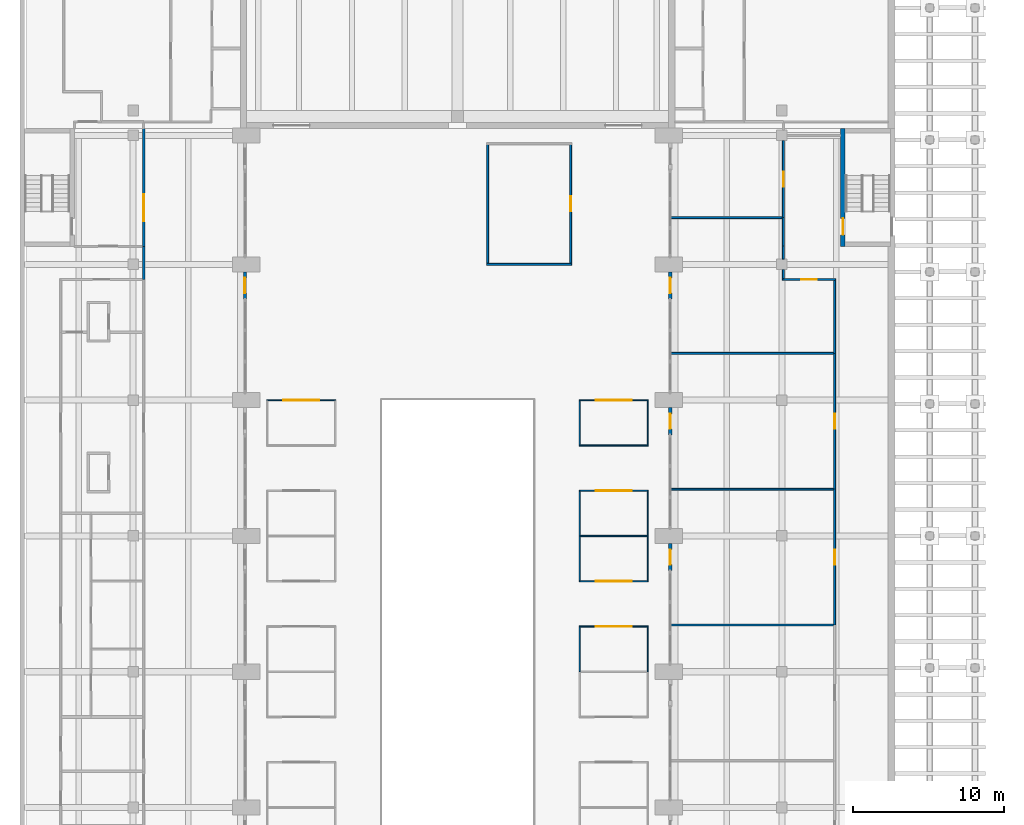
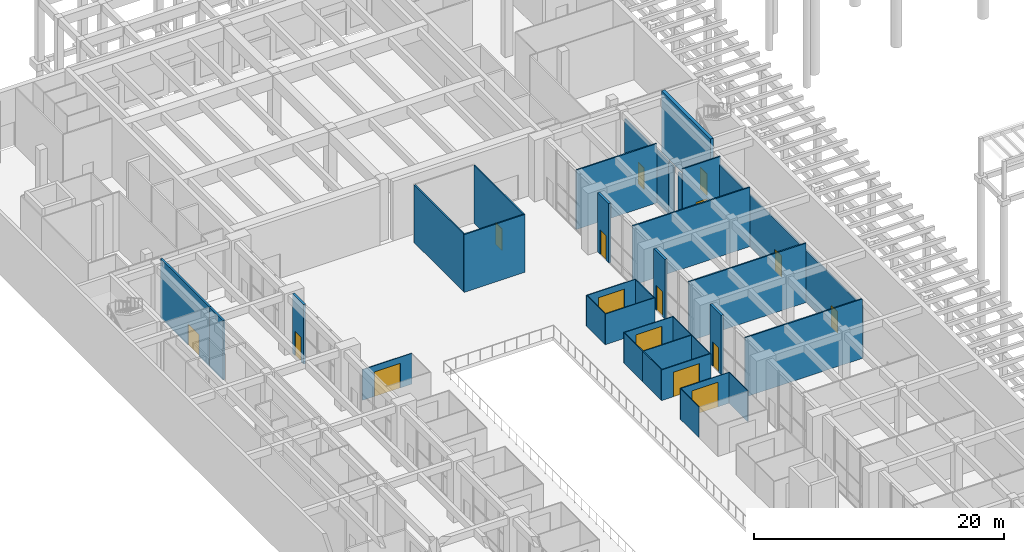
# One storey, part 36 of 51: 37 walls, 16 doors, 16 openings.
"""IFC4 building model written with IfcOpenShell, lengths in metres."""

from ifc_helpers import new_model, si_unit, direction, frame, frame_2d, origin, place, context, subcontext, project, spatial, rectangle, extrude, material, layer, layer_set, type_object, element, fill, save


model = new_model("IFC4")

# Units and contexts
model_context = context("Model", 3, precision=1e-05, world=origin(), true_north=direction((0.0, 1.0)))
body_context = subcontext(model_context, "Body", "Model", "MODEL_VIEW")
ifc_project = project(units=[si_unit("LENGTHUNIT", "METRE"), si_unit("AREAUNIT", "SQUARE_METRE"), si_unit("VOLUMEUNIT", "CUBIC_METRE"), si_unit("PLANEANGLEUNIT", "RADIAN"), si_unit("MASSUNIT", "GRAM", prefix="KILO")], contexts=[model_context])

# Site, building, storey
site_placement = place(None, origin())
site = spatial("IfcSite", under=ifc_project, at=site_placement, CompositionType="ELEMENT")
building_placement = place(site_placement, origin())
building = spatial("IfcBuilding", under=site, at=building_placement, Name="Elmora Arch Market Hall", CompositionType="ELEMENT")
storey_placement = place(building_placement, origin())
storey = spatial("IfcBuildingStorey", under=building, at=storey_placement, Name="L00", CompositionType="ELEMENT", Elevation=0.0)

# Wall, opening, door
ifc_material_1 = material(Name="Concrete C40/50", Category="concrete")
ifc_layer_1 = layer(ifc_material_1, 0.199951171875)
ifc_layer_set_1 = layer_set([ifc_layer_1], Name="Concrete C40/50")
wall_type_1 = type_object("IfcWallType", Name="Concrete shopfront pier 200", PredefinedType="PARTITIONING", material=ifc_layer_set_1)
wall_1_placement = place(storey_placement, frame((14.89990234375, 89.5, 0.0), z_axis=(0.0, 0.0, 1.0), x_axis=(0.0, -1.0, 0.0)))
wall_1 = element("IfcWall", 1, at=wall_1_placement, inside=storey, type_object=wall_type_1, Name="Shopfront pier W 7", PredefinedType="PARTITIONING", context=body_context, shape_type="SweptSolid", body=[
    extrude(rectangle(XDim=1.800048828125, YDim=0.199951171875, at=frame_2d((0.89990234375, 0.0))), origin(), (0.0, 0.0, 1.0), 5.800048828125),
])
opening_1_placement = place(wall_1_placement, frame((0.39990234375, 0.0, 0.0)))
opening_1 = element("IfcOpeningElement", 2, at=opening_1_placement, cuts=wall_1, Name="Opening SD-W07", PredefinedType="OPENING", context=body_context, shape_type="SweptSolid", body=[
    extrude(rectangle(XDim=1.0, YDim=2.39990234375, at=frame_2d((0.5, 1.199951171875))), frame((0.0, 0.10986328125, 0.0), z_axis=(0.0, -1.0, 0.0), x_axis=(1.0, 0.0, 0.0)), (0.0, 0.0, 1.0), 0.219970703125),
])
ifc_material_2 = material(Name="Glazed aluminium", Category="aluminium")
door_type_1 = type_object("IfcDoorType", Name="Shop door 1000x2400", OperationType="SINGLE_SWING_LEFT", PredefinedType="DOOR", material=ifc_material_2)
door_1_placement = place(opening_1_placement, origin())
door_1 = element("IfcDoor", 3, at=door_1_placement, inside=storey, type_object=door_type_1, Name="Shop door W07", OperationType="SINGLE_SWING_LEFT", OverallHeight=2.39990234375, OverallWidth=1.0, PredefinedType="DOOR", context=body_context, shape_type="SweptSolid", body=[
    extrude(rectangle(XDim=1.0, YDim=2.39990234375, at=frame_2d((0.5, 1.199951171875))), frame((0.0, 0.02490234375, 0.0), z_axis=(0.0, -1.0, 0.0), x_axis=(1.0, 0.0, 0.0)), (0.0, 0.0, 1.0), 0.050048828125),
])
fill(opening_1, door_1)

wall_2_placement = place(storey_placement, frame((43.10009765625, 69.699951171875, 0.0), z_axis=(0.0, 0.0, 1.0), x_axis=(0.0, 1.0, 0.0)))
wall_2 = element("IfcWall", 4, at=wall_2_placement, inside=storey, type_object=wall_type_1, Name="Shopfront pier E 5", PredefinedType="PARTITIONING", context=body_context, shape_type="SweptSolid", body=[
    extrude(rectangle(XDim=1.800048828125, YDim=0.199951171875, at=frame_2d((0.89990234375, 0.0))), origin(), (0.0, 0.0, 1.0), 5.800048828125),
])
opening_2_placement = place(wall_2_placement, frame((0.39990234375, 0.0, 0.0)))
opening_2 = element("IfcOpeningElement", 5, at=opening_2_placement, cuts=wall_2, Name="Opening SD-E05", PredefinedType="OPENING", context=body_context, shape_type="SweptSolid", body=[
    extrude(rectangle(XDim=1.0, YDim=2.39990234375, at=frame_2d((0.5, 1.199951171875))), frame((0.0, 0.10986328125, 0.0), z_axis=(0.0, -1.0, 0.0), x_axis=(1.0, 0.0, 0.0)), (0.0, 0.0, 1.0), 0.219970703125),
])
door_2_placement = place(opening_2_placement, frame((1.0, 0.0, 0.0), z_axis=(0.0, 0.0, 1.0), x_axis=(-1.0, 0.0, 0.0)))
door_2 = element("IfcDoor", 6, at=door_2_placement, inside=storey, type_object=door_type_1, Name="Shop door E05", OperationType="SINGLE_SWING_LEFT", OverallHeight=2.39990234375, OverallWidth=1.0, PredefinedType="DOOR", context=body_context, shape_type="SweptSolid", body=[
    extrude(rectangle(XDim=1.0, YDim=2.39990234375, at=frame_2d((0.5, 1.199951171875))), frame((0.0, 0.02490234375, 0.0), z_axis=(0.0, -1.0, 0.0), x_axis=(1.0, 0.0, 0.0)), (0.0, 0.0, 1.0), 0.050048828125),
])
fill(opening_2, door_2)

wall_3_placement = place(storey_placement, frame((43.10009765625, 78.699951171875, 0.0), z_axis=(0.0, 0.0, 1.0), x_axis=(0.0, 1.0, 0.0)))
wall_3 = element("IfcWall", 7, at=wall_3_placement, inside=storey, type_object=wall_type_1, Name="Shopfront pier E 6", PredefinedType="PARTITIONING", context=body_context, shape_type="SweptSolid", body=[
    extrude(rectangle(XDim=1.800048828125, YDim=0.199951171875, at=frame_2d((0.89990234375, 0.0))), origin(), (0.0, 0.0, 1.0), 5.800048828125),
])
opening_3_placement = place(wall_3_placement, frame((0.39990234375, 0.0, 0.0)))
opening_3 = element("IfcOpeningElement", 8, at=opening_3_placement, cuts=wall_3, Name="Opening SD-E06", PredefinedType="OPENING", context=body_context, shape_type="SweptSolid", body=[
    extrude(rectangle(XDim=1.0, YDim=2.39990234375, at=frame_2d((0.5, 1.199951171875))), frame((0.0, 0.10986328125, 0.0), z_axis=(0.0, -1.0, 0.0), x_axis=(1.0, 0.0, 0.0)), (0.0, 0.0, 1.0), 0.219970703125),
])
door_3_placement = place(opening_3_placement, frame((1.0, 0.0, 0.0), z_axis=(0.0, 0.0, 1.0), x_axis=(-1.0, 0.0, 0.0)))
door_3 = element("IfcDoor", 9, at=door_3_placement, inside=storey, type_object=door_type_1, Name="Shop door E06", OperationType="SINGLE_SWING_LEFT", OverallHeight=2.39990234375, OverallWidth=1.0, PredefinedType="DOOR", context=body_context, shape_type="SweptSolid", body=[
    extrude(rectangle(XDim=1.0, YDim=2.39990234375, at=frame_2d((0.5, 1.199951171875))), frame((0.0, 0.02490234375, 0.0), z_axis=(0.0, -1.0, 0.0), x_axis=(1.0, 0.0, 0.0)), (0.0, 0.0, 1.0), 0.050048828125),
])
fill(opening_3, door_3)

wall_4_placement = place(storey_placement, frame((43.10009765625, 87.699951171875, 0.0), z_axis=(0.0, 0.0, 1.0), x_axis=(0.0, 1.0, 0.0)))
wall_4 = element("IfcWall", 10, at=wall_4_placement, inside=storey, type_object=wall_type_1, Name="Shopfront pier E 7", PredefinedType="PARTITIONING", context=body_context, shape_type="SweptSolid", body=[
    extrude(rectangle(XDim=1.800048828125, YDim=0.199951171875, at=frame_2d((0.89990234375, 0.0))), origin(), (0.0, 0.0, 1.0), 5.800048828125),
])
opening_4_placement = place(wall_4_placement, frame((0.39990234375, 0.0, 0.0)))
opening_4 = element("IfcOpeningElement", 11, at=opening_4_placement, cuts=wall_4, Name="Opening SD-E07", PredefinedType="OPENING", context=body_context, shape_type="SweptSolid", body=[
    extrude(rectangle(XDim=1.0, YDim=2.39990234375, at=frame_2d((0.5, 1.199951171875))), frame((0.0, 0.10986328125, 0.0), z_axis=(0.0, -1.0, 0.0), x_axis=(1.0, 0.0, 0.0)), (0.0, 0.0, 1.0), 0.219970703125),
])
door_4_placement = place(opening_4_placement, frame((1.0, 0.0, 0.0), z_axis=(0.0, 0.0, 1.0), x_axis=(-1.0, 0.0, 0.0)))
door_4 = element("IfcDoor", 12, at=door_4_placement, inside=storey, type_object=door_type_1, Name="Shop door E07", OperationType="SINGLE_SWING_LEFT", OverallHeight=2.39990234375, OverallWidth=1.0, PredefinedType="DOOR", context=body_context, shape_type="SweptSolid", body=[
    extrude(rectangle(XDim=1.0, YDim=2.39990234375, at=frame_2d((0.5, 1.199951171875))), frame((0.0, 0.02490234375, 0.0), z_axis=(0.0, -1.0, 0.0), x_axis=(1.0, 0.0, 0.0)), (0.0, 0.0, 1.0), 0.050048828125),
])
fill(opening_4, door_4)

# Walls
ifc_material_3 = material(Name="Gypsum board on metal studs")
ifc_layer_2 = layer(ifc_material_3, 0.125)
ifc_layer_set_2 = layer_set([ifc_layer_2], Name="Gypsum board on metal studs")
wall_type_2 = type_object("IfcWallType", Name="Partition 125 EI 60", PredefinedType="PARTITIONING", material=ifc_layer_set_2)
for number, where, z_axis, x_axis, name in (
    (13, (43.10009765625, 66.10009765625, 0.0), (0.0, 0.0, 1.0), (1.0, 0.0, 0.0), "Partition PT-L00-063"),
    (14, (43.10009765625, 75.10009765625, 0.0), (0.0, 0.0, 1.0), (1.0, 0.0, 0.0), "Partition PT-L00-073"),
    (15, (43.10009765625, 84.10009765625, 0.0), (0.0, 0.0, 1.0), (1.0, 0.0, 0.0), "Partition PT-L00-079"),
):
    element("IfcWall", number, at=place(storey_placement, frame(where, z_axis=z_axis, x_axis=x_axis)), inside=storey, type_object=wall_type_2, Name=name, PredefinedType="PARTITIONING", context=body_context, shape_type="SweptSolid", body=[
        extrude(rectangle(XDim=10.83740234375, YDim=0.125, at=frame_2d((5.418701171875, 0.0))), origin(), (0.0, 0.0, 1.0), 5.800048828125),
    ])

# Wall, opening, door
wall_5_placement = place(storey_placement, frame((50.53759765625, 89.0, 0.0), z_axis=(0.0, 0.0, 1.0), x_axis=(1.0, 0.0, 0.0)))
wall_5 = element("IfcWall", 16, at=wall_5_placement, inside=storey, type_object=wall_type_2, Name="Partition PT-L00-083", PredefinedType="PARTITIONING", context=body_context, shape_type="SweptSolid", body=[
    extrude(rectangle(XDim=3.52490234375, YDim=0.125, at=frame_2d((1.762451171875, 0.0))), origin(), (0.0, 0.0, 1.0), 5.800048828125),
])
opening_5_placement = place(wall_5_placement, frame((1.262451171875, 0.0, 0.0)))
opening_5 = element("IfcOpeningElement", 17, at=opening_5_placement, cuts=wall_5, Name="Opening D-L00-069", PredefinedType="OPENING", context=body_context, shape_type="SweptSolid", body=[
    extrude(rectangle(XDim=1.0, YDim=2.10009765625, at=frame_2d((0.5, 1.050048828125))), frame((0.0, 0.072509765625, 0.0), z_axis=(0.0, -1.0, 0.0), x_axis=(1.0, 0.0, 0.0)), (0.0, 0.0, 1.0), 0.14501953125),
])
ifc_material_4 = material(Name="Steel ASTM A653 galvanised", Category="steel")
door_type_2 = type_object("IfcDoorType", Name="Door 1000 x 2100 FD45", OperationType="SINGLE_SWING_LEFT", PredefinedType="DOOR", material=ifc_material_4)
door_5_placement = place(opening_5_placement, frame((1.0, 0.0, 0.0), z_axis=(0.0, 0.0, 1.0), x_axis=(-1.0, 0.0, 0.0)))
door_5 = element("IfcDoor", 18, at=door_5_placement, inside=storey, type_object=door_type_2, Name="D-L00-069", OperationType="SINGLE_SWING_LEFT", OverallHeight=2.10009765625, OverallWidth=1.0, PredefinedType="DOOR", context=body_context, shape_type="SweptSolid", body=[
    extrude(rectangle(XDim=1.0, YDim=2.10009765625, at=frame_2d((0.5, 1.050048828125))), frame((0.0, 0.02490234375, 0.0), z_axis=(0.0, -1.0, 0.0), x_axis=(1.0, 0.0, 0.0)), (0.0, 0.0, 1.0), 0.050048828125),
])
fill(opening_5, door_5)

# Walls
wall_6_placement = place(storey_placement, frame((30.9375, 90.0, 0.0), z_axis=(0.0, 0.0, 1.0), x_axis=(1.0, 0.0, 0.0)))
element("IfcWall", 19, at=wall_6_placement, inside=storey, type_object=wall_type_2, Name="Partition PT-L00-084", PredefinedType="PARTITIONING", context=body_context, shape_type="SweptSolid", body=[
    extrude(rectangle(XDim=5.625, YDim=0.125, at=frame_2d((2.8125, 0.0))), origin(), (0.0, 0.0, 1.0), 5.64990234375),
])
wall_7_placement = place(storey_placement, frame((43.10009765625, 93.10009765625, 0.0), z_axis=(0.0, 0.0, 1.0), x_axis=(1.0, 0.0, 0.0)))
element("IfcWall", 20, at=wall_7_placement, inside=storey, type_object=wall_type_2, Name="Partition PT-L00-086", PredefinedType="PARTITIONING", context=body_context, shape_type="SweptSolid", body=[
    extrude(rectangle(XDim=7.4375, YDim=0.125, at=frame_2d((3.71875, 0.0))), origin(), (0.0, 0.0, 1.0), 5.800048828125),
])
wall_8_placement = place(storey_placement, frame((31.0, 90.0625, 0.0), z_axis=(0.0, 0.0, 1.0), x_axis=(0.0, 1.0, 0.0)))
element("IfcWall", 21, at=wall_8_placement, inside=storey, type_object=wall_type_2, Name="Partition PT-L00-200", PredefinedType="PARTITIONING", context=body_context, shape_type="SweptSolid", body=[
    extrude(rectangle(XDim=7.875, YDim=0.125, at=frame_2d((3.9375, 0.0))), origin(), (0.0, 0.0, 1.0), 5.64990234375),
])

# Wall, opening, door
wall_9_placement = place(storey_placement, frame((36.5, 90.0625, 0.0), z_axis=(0.0, 0.0, 1.0), x_axis=(0.0, 1.0, 0.0)))
wall_9 = element("IfcWall", 22, at=wall_9_placement, inside=storey, type_object=wall_type_2, Name="Partition PT-L00-206", PredefinedType="PARTITIONING", context=body_context, shape_type="SweptSolid", body=[
    extrude(rectangle(XDim=7.875, YDim=0.125, at=frame_2d((3.9375, 0.0))), origin(), (0.0, 0.0, 1.0), 5.64990234375),
])
opening_6_placement = place(wall_9_placement, frame((3.449951171875, 0.0, 0.0)))
opening_6 = element("IfcOpeningElement", 23, at=opening_6_placement, cuts=wall_9, Name="Opening D-L00-072", PredefinedType="OPENING", context=body_context, shape_type="SweptSolid", body=[
    extrude(rectangle(XDim=1.0, YDim=2.10009765625, at=frame_2d((0.5, 1.050048828125))), frame((0.0, 0.072509765625, 0.0), z_axis=(0.0, -1.0, 0.0), x_axis=(1.0, 0.0, 0.0)), (0.0, 0.0, 1.0), 0.14501953125),
])
door_6_placement = place(opening_6_placement, origin())
door_6 = element("IfcDoor", 24, at=door_6_placement, inside=storey, type_object=door_type_2, Name="D-L00-072", OperationType="SINGLE_SWING_RIGHT", OverallHeight=2.10009765625, OverallWidth=1.0, PredefinedType="DOOR", context=body_context, shape_type="SweptSolid", body=[
    extrude(rectangle(XDim=1.0, YDim=2.10009765625, at=frame_2d((0.5, 1.050048828125))), frame((0.0, 0.02490234375, 0.0), z_axis=(0.0, -1.0, 0.0), x_axis=(1.0, 0.0, 0.0)), (0.0, 0.0, 1.0), 0.050048828125),
])
fill(opening_6, door_6)

# Walls
wall_10_placement = place(storey_placement, frame((50.60009765625, 89.0625, 0.0), z_axis=(0.0, 0.0, 1.0), x_axis=(0.0, 1.0, 0.0)))
element("IfcWall", 25, at=wall_10_placement, inside=storey, type_object=wall_type_2, Name="Partition PT-L00-231-226", PredefinedType="PARTITIONING", context=body_context, shape_type="SweptSolid", body=[
    extrude(rectangle(XDim=0.58740234375, YDim=0.125, at=frame_2d((0.293701171875, 0.0))), origin(), (0.0, 0.0, 1.0), 5.10009765625),
])
wall_11_placement = place(storey_placement, frame((50.60009765625, 90.35009765625, 0.0), z_axis=(0.0, 0.0, 1.0), x_axis=(0.0, 1.0, 0.0)))
element("IfcWall", 26, at=wall_11_placement, inside=storey, type_object=wall_type_2, Name="Partition PT-L00-231-227", PredefinedType="PARTITIONING", context=body_context, shape_type="SweptSolid", body=[
    extrude(rectangle(XDim=0.85986328125, YDim=0.125, at=frame_2d((0.429931640625, 0.0))), origin(), (0.0, 0.0, 1.0), 5.10009765625),
])
wall_12_placement = place(storey_placement, frame((50.60009765625, 91.2099609375, 0.0), z_axis=(0.0, 0.0, 1.0), x_axis=(0.0, 1.0, 0.0)))
element("IfcWall", 27, at=wall_12_placement, inside=storey, type_object=wall_type_2, Name="Partition PT-L00-232", PredefinedType="PARTITIONING", context=body_context, shape_type="SweptSolid", body=[
    extrude(rectangle(XDim=1.89013671875, YDim=0.125, at=frame_2d((0.945068359375, 0.0))), origin(), (0.0, 0.0, 1.0), 5.10009765625),
])

# Wall, opening, door
wall_13_placement = place(storey_placement, frame((50.60009765625, 93.10009765625, 0.0), z_axis=(0.0, 0.0, 1.0), x_axis=(0.0, 1.0, 0.0)))
wall_13 = element("IfcWall", 28, at=wall_13_placement, inside=storey, type_object=wall_type_2, Name="Partition PT-L00-233", PredefinedType="PARTITIONING", context=body_context, shape_type="SweptSolid", body=[
    extrude(rectangle(XDim=5.099853515625, YDim=0.125, at=frame_2d((2.5498046875, 0.0))), origin(), (0.0, 0.0, 1.0), 5.10009765625),
])
opening_7_placement = place(wall_13_placement, frame((2.050048828125, 0.0, 0.0)))
opening_7 = element("IfcOpeningElement", 29, at=opening_7_placement, cuts=wall_13, Name="Opening D-L00-073", PredefinedType="OPENING", context=body_context, shape_type="SweptSolid", body=[
    extrude(rectangle(XDim=1.0, YDim=2.10009765625, at=frame_2d((0.5, 1.050048828125))), frame((0.0, 0.072509765625, 0.0), z_axis=(0.0, -1.0, 0.0), x_axis=(1.0, 0.0, 0.0)), (0.0, 0.0, 1.0), 0.14501953125),
])
door_7_placement = place(opening_7_placement, origin())
door_7 = element("IfcDoor", 30, at=door_7_placement, inside=storey, type_object=door_type_2, Name="D-L00-073", OperationType="SINGLE_SWING_LEFT", OverallHeight=2.10009765625, OverallWidth=1.0, PredefinedType="DOOR", context=body_context, shape_type="SweptSolid", body=[
    extrude(rectangle(XDim=1.0, YDim=2.10009765625, at=frame_2d((0.5, 1.050048828125))), frame((0.0, 0.02490234375, 0.0), z_axis=(0.0, -1.0, 0.0), x_axis=(1.0, 0.0, 0.0)), (0.0, 0.0, 1.0), 0.050048828125),
])
fill(opening_7, door_7)

wall_14_placement = place(storey_placement, frame((54.0, 66.10009765625, 0.0), z_axis=(0.0, 0.0, 1.0), x_axis=(0.0, 1.0, 0.0)))
wall_14 = element("IfcWall", 31, at=wall_14_placement, inside=storey, type_object=wall_type_2, Name="Partition PT-L00-239", PredefinedType="PARTITIONING", context=body_context, shape_type="SweptSolid", body=[
    extrude(rectangle(XDim=9.0, YDim=0.125, at=frame_2d((4.5, 0.0))), origin(), (0.0, 0.0, 1.0), 5.050048828125),
])
opening_8_placement = place(wall_14_placement, frame((4.0, 0.0, 0.0)))
opening_8 = element("IfcOpeningElement", 32, at=opening_8_placement, cuts=wall_14, Name="Opening D-L00-056", PredefinedType="OPENING", context=body_context, shape_type="SweptSolid", body=[
    extrude(rectangle(XDim=1.0, YDim=2.10009765625, at=frame_2d((0.5, 1.050048828125))), frame((0.0, 0.072509765625, 0.0), z_axis=(0.0, -1.0, 0.0), x_axis=(1.0, 0.0, 0.0)), (0.0, 0.0, 1.0), 0.14501953125),
])
door_8_placement = place(opening_8_placement, origin())
door_8 = element("IfcDoor", 33, at=door_8_placement, inside=storey, type_object=door_type_2, Name="D-L00-056", OperationType="SINGLE_SWING_LEFT", OverallHeight=2.10009765625, OverallWidth=1.0, PredefinedType="DOOR", context=body_context, shape_type="SweptSolid", body=[
    extrude(rectangle(XDim=1.0, YDim=2.10009765625, at=frame_2d((0.5, 1.050048828125))), frame((0.0, 0.02490234375, 0.0), z_axis=(0.0, -1.0, 0.0), x_axis=(1.0, 0.0, 0.0)), (0.0, 0.0, 1.0), 0.050048828125),
])
fill(opening_8, door_8)

wall_15_placement = place(storey_placement, frame((54.0, 75.10009765625, 0.0), z_axis=(0.0, 0.0, 1.0), x_axis=(0.0, 1.0, 0.0)))
wall_15 = element("IfcWall", 34, at=wall_15_placement, inside=storey, type_object=wall_type_2, Name="Partition PT-L00-240", PredefinedType="PARTITIONING", context=body_context, shape_type="SweptSolid", body=[
    extrude(rectangle(XDim=9.0, YDim=0.125, at=frame_2d((4.5, 0.0))), origin(), (0.0, 0.0, 1.0), 5.050048828125),
])
opening_9_placement = place(wall_15_placement, frame((4.0, 0.0, 0.0)))
opening_9 = element("IfcOpeningElement", 35, at=opening_9_placement, cuts=wall_15, Name="Opening D-L00-063", PredefinedType="OPENING", context=body_context, shape_type="SweptSolid", body=[
    extrude(rectangle(XDim=1.0, YDim=2.10009765625, at=frame_2d((0.5, 1.050048828125))), frame((0.0, 0.072509765625, 0.0), z_axis=(0.0, -1.0, 0.0), x_axis=(1.0, 0.0, 0.0)), (0.0, 0.0, 1.0), 0.14501953125),
])
door_9_placement = place(opening_9_placement, origin())
door_9 = element("IfcDoor", 36, at=door_9_placement, inside=storey, type_object=door_type_2, Name="D-L00-063", OperationType="SINGLE_SWING_LEFT", OverallHeight=2.10009765625, OverallWidth=1.0, PredefinedType="DOOR", context=body_context, shape_type="SweptSolid", body=[
    extrude(rectangle(XDim=1.0, YDim=2.10009765625, at=frame_2d((0.5, 1.050048828125))), frame((0.0, 0.02490234375, 0.0), z_axis=(0.0, -1.0, 0.0), x_axis=(1.0, 0.0, 0.0)), (0.0, 0.0, 1.0), 0.050048828125),
])
fill(opening_9, door_9)

# Walls
wall_16_placement = place(storey_placement, frame((54.0, 84.10009765625, 0.0), z_axis=(0.0, 0.0, 1.0), x_axis=(0.0, 1.0, 0.0)))
element("IfcWall", 37, at=wall_16_placement, inside=storey, type_object=wall_type_2, Name="Partition PT-L00-241", PredefinedType="PARTITIONING", context=body_context, shape_type="SweptSolid", body=[
    extrude(rectangle(XDim=4.83740234375, YDim=0.125, at=frame_2d((2.418701171875, 0.0))), origin(), (0.0, 0.0, 1.0), 5.050048828125),
])
ifc_material_5 = material(Name="Gypsum board on metal studs")
ifc_layer_3 = layer(ifc_material_5, 0.175048828125)
ifc_layer_set_3 = layer_set([ifc_layer_3], Name="Gypsum board on metal studs")
wall_type_3 = type_object("IfcWallType", Name="Partition 175 EI 60", PredefinedType="PARTITIONING", material=ifc_layer_set_3)
wall_17_placement = place(storey_placement, frame((8.199951171875, 89.0, 0.0), z_axis=(0.0, 0.0, 1.0), x_axis=(0.0, 1.0, 0.0)))
element("IfcWall", 38, at=wall_17_placement, inside=storey, type_object=wall_type_3, Name="Partition PT-L00-162", PredefinedType="PARTITIONING", context=body_context, shape_type="SweptSolid", body=[
    extrude(rectangle(XDim=2.199951171875, YDim=0.175048828125, at=frame_2d((1.10009765625, 0.0))), origin(), (0.0, 0.0, 1.0), 5.800048828125),
])

# Wall, opening, door
wall_18_placement = place(storey_placement, frame((8.199951171875, 91.199951171875, 0.0), z_axis=(0.0, 0.0, 1.0), x_axis=(0.0, 1.0, 0.0)))
wall_18 = element("IfcWall", 39, at=wall_18_placement, inside=storey, type_object=wall_type_3, Name="Partition PT-L00-163", PredefinedType="PARTITIONING", context=body_context, shape_type="SweptSolid", body=[
    extrude(rectangle(XDim=7.800048828125, YDim=0.175048828125, at=frame_2d((3.89990234375, 0.0))), origin(), (0.0, 0.0, 1.0), 5.800048828125),
])
opening_10_placement = place(wall_18_placement, frame((1.64990234375, 0.0, 0.0)))
opening_10 = element("IfcOpeningElement", 40, at=opening_10_placement, cuts=wall_18, Name="Opening D-L00-071", PredefinedType="OPENING", context=body_context, shape_type="SweptSolid", body=[
    extrude(rectangle(XDim=1.800048828125, YDim=2.10009765625, at=frame_2d((0.89990234375, 1.050048828125))), frame((0.0, 0.097412109375, 0.0), z_axis=(0.0, -1.0, 0.0), x_axis=(1.0, 0.0, 0.0)), (0.0, 0.0, 1.0), 0.195068359375),
])
ifc_material_6 = material(Name="Steel ASTM A653 galvanised", Category="steel")
door_type_3 = type_object("IfcDoorType", Name="Double door 1800 x 2100", OperationType="DOUBLE_DOOR_SINGLE_SWING", PredefinedType="DOOR", material=ifc_material_6)
door_10_placement = place(opening_10_placement, origin())
door_10 = element("IfcDoor", 41, at=door_10_placement, inside=storey, type_object=door_type_3, Name="D-L00-071", OperationType="DOUBLE_DOOR_SINGLE_SWING", OverallHeight=2.10009765625, OverallWidth=1.800048828125, PredefinedType="DOOR", context=body_context, shape_type="SweptSolid", body=[
    extrude(rectangle(XDim=1.800048828125, YDim=2.10009765625, at=frame_2d((0.89990234375, 1.050048828125))), frame((0.0, 0.02490234375, 0.0), z_axis=(0.0, -1.0, 0.0), x_axis=(1.0, 0.0, 0.0)), (0.0, 0.0, 1.0), 0.050048828125),
])
fill(opening_10, door_10)

ifc_material_7 = material(Name="Concrete C40/50", Category="concrete")
ifc_layer_4 = layer(ifc_material_7, 0.300048828125)
ifc_layer_set_4 = layer_set([ifc_layer_4], Name="Concrete C40/50")
wall_type_4 = type_object("IfcWallType", Name="Stair wall 300", PredefinedType="SHEAR", material=ifc_layer_set_4)
wall_19_placement = place(storey_placement, frame((54.550048828125, 91.199951171875, 0.0), z_axis=(0.0, 0.0, 1.0), x_axis=(0.0, 1.0, 0.0)))
wall_19 = element("IfcWall", 42, at=wall_19_placement, inside=storey, type_object=wall_type_4, Name="Stair wall ST-EN W L00", PredefinedType="SHEAR", context=body_context, shape_type="SweptSolid", body=[
    extrude(rectangle(XDim=7.800048828125, YDim=0.300048828125, at=frame_2d((3.89990234375, 0.0))), origin(), (0.0, 0.0, 1.0), 6.0),
])
opening_11_placement = place(wall_19_placement, frame((0.75, 0.0, 0.0)))
opening_11 = element("IfcOpeningElement", 43, at=opening_11_placement, cuts=wall_19, Name="Opening ST-EN-L00", PredefinedType="OPENING", context=body_context, shape_type="SweptSolid", body=[
    extrude(rectangle(XDim=1.10009765625, YDim=2.10009765625, at=frame_2d((0.550048828125, 1.050048828125))), frame((0.0, 0.159912109375, 0.0), z_axis=(0.0, -1.0, 0.0), x_axis=(1.0, 0.0, 0.0)), (0.0, 0.0, 1.0), 0.320068359375),
])
ifc_material_8 = material(Name="Steel ASTM A653 galvanised", Category="steel")
door_type_4 = type_object("IfcDoorType", Name="Stair door 1100 x 2100 FD90", OperationType="SINGLE_SWING_LEFT", PredefinedType="DOOR", material=ifc_material_8)
door_11_placement = place(opening_11_placement, frame((1.10009765625, 0.0, 0.0), z_axis=(0.0, 0.0, 1.0), x_axis=(-1.0, 0.0, 0.0)))
door_11 = element("IfcDoor", 44, at=door_11_placement, inside=storey, type_object=door_type_4, Name="Stair door ST-EN L00", OperationType="SINGLE_SWING_RIGHT", OverallHeight=2.10009765625, OverallWidth=1.10009765625, PredefinedType="DOOR", context=body_context, shape_type="SweptSolid", body=[
    extrude(rectangle(XDim=1.10009765625, YDim=2.10009765625, at=frame_2d((0.550048828125, 1.050048828125))), frame((0.0, 0.02490234375, 0.0), z_axis=(0.0, -1.0, 0.0), x_axis=(1.0, 0.0, 0.0)), (0.0, 0.0, 1.0), 0.050048828125),
])
fill(opening_11, door_11)

ifc_material_9 = material(Name="Gypsum board on metal studs")
ifc_layer_5 = layer(ifc_material_9, 0.074951171875)
ifc_layer_set_5 = layer_set([ifc_layer_5], Name="Gypsum board on metal studs")
wall_type_5 = type_object("IfcWallType", Name="Stall partition 75 (3.0 m)", PredefinedType="PARTITIONING", material=ifc_layer_set_5)
wall_20_placement = place(storey_placement, frame((37.0625, 66.0, 0.0), z_axis=(0.0, 0.0, 1.0), x_axis=(1.0, 0.0, 0.0)))
wall_20 = element("IfcWall", 45, at=wall_20_placement, inside=storey, type_object=wall_type_5, Name="Partition PT-L00-062", PredefinedType="PARTITIONING", context=body_context, shape_type="SweptSolid", body=[
    extrude(rectangle(XDim=4.574951171875, YDim=0.074951171875, at=frame_2d((2.28759765625, 0.0))), origin(), (0.0, 0.0, 1.0), 3.0),
])
opening_12_placement = place(wall_20_placement, frame((1.08740234375, 0.0, 0.0)))
opening_12 = element("IfcOpeningElement", 46, at=opening_12_placement, cuts=wall_20, Name="Opening D-L00-051", PredefinedType="OPENING", context=body_context, shape_type="SweptSolid", body=[
    extrude(rectangle(XDim=2.39990234375, YDim=2.39990234375, at=frame_2d((1.199951171875, 1.199951171875))), frame((0.0, 0.04736328125, 0.0), z_axis=(0.0, -1.0, 0.0), x_axis=(1.0, 0.0, 0.0)), (0.0, 0.0, 1.0), 0.094970703125),
])
ifc_material_10 = material(Name="Aluminium roller shutter", Category="aluminium")
door_type_5 = type_object("IfcDoorType", Name="Roller shutter 2400 x 2400", OperationType="ROLLINGUP", PredefinedType="DOOR", material=ifc_material_10)
door_12_placement = place(opening_12_placement, origin())
door_12 = element("IfcDoor", 47, at=door_12_placement, inside=storey, type_object=door_type_5, Name="D-L00-051", OperationType="ROLLINGUP", OverallHeight=2.39990234375, OverallWidth=2.39990234375, PredefinedType="DOOR", context=body_context, shape_type="SweptSolid", body=[
    extrude(rectangle(XDim=2.39990234375, YDim=2.39990234375, at=frame_2d((1.199951171875, 1.199951171875))), frame((0.0, 0.02490234375, 0.0), z_axis=(0.0, -1.0, 0.0), x_axis=(1.0, 0.0, 0.0)), (0.0, 0.0, 1.0), 0.050048828125),
])
fill(opening_12, door_12)

wall_21_placement = place(storey_placement, frame((37.0625, 69.0, 0.0), z_axis=(0.0, 0.0, 1.0), x_axis=(1.0, 0.0, 0.0)))
wall_21 = element("IfcWall", 48, at=wall_21_placement, inside=storey, type_object=wall_type_5, Name="Partition PT-L00-066", PredefinedType="PARTITIONING", context=body_context, shape_type="SweptSolid", body=[
    extrude(rectangle(XDim=4.574951171875, YDim=0.074951171875, at=frame_2d((2.28759765625, 0.0))), origin(), (0.0, 0.0, 1.0), 3.0),
])
opening_13_placement = place(wall_21_placement, frame((1.08740234375, 0.0, 0.0)))
opening_13 = element("IfcOpeningElement", 49, at=opening_13_placement, cuts=wall_21, Name="Opening D-L00-055", PredefinedType="OPENING", context=body_context, shape_type="SweptSolid", body=[
    extrude(rectangle(XDim=2.39990234375, YDim=2.39990234375, at=frame_2d((1.199951171875, 1.199951171875))), frame((0.0, 0.04736328125, 0.0), z_axis=(0.0, -1.0, 0.0), x_axis=(1.0, 0.0, 0.0)), (0.0, 0.0, 1.0), 0.094970703125),
])
door_13_placement = place(opening_13_placement, origin())
door_13 = element("IfcDoor", 50, at=door_13_placement, inside=storey, type_object=door_type_5, Name="D-L00-055", OperationType="ROLLINGUP", OverallHeight=2.39990234375, OverallWidth=2.39990234375, PredefinedType="DOOR", context=body_context, shape_type="SweptSolid", body=[
    extrude(rectangle(XDim=2.39990234375, YDim=2.39990234375, at=frame_2d((1.199951171875, 1.199951171875))), frame((0.0, 0.02490234375, 0.0), z_axis=(0.0, -1.0, 0.0), x_axis=(1.0, 0.0, 0.0)), (0.0, 0.0, 1.0), 0.050048828125),
])
fill(opening_13, door_13)

# Wall
wall_22_placement = place(storey_placement, frame((37.137451171875, 72.0, 0.0), z_axis=(0.0, 0.0, 1.0), x_axis=(1.0, 0.0, 0.0)))
element("IfcWall", 51, at=wall_22_placement, inside=storey, type_object=wall_type_5, Name="Partition PT-L00-068", PredefinedType="PARTITIONING", context=body_context, shape_type="SweptSolid", body=[
    extrude(rectangle(XDim=4.425048828125, YDim=0.074951171875, at=frame_2d((2.21240234375, 0.0))), origin(), (0.0, 0.0, 1.0), 3.0),
])

# Wall, opening, door
wall_23_placement = place(storey_placement, frame((37.0625, 75.0, 0.0), z_axis=(0.0, 0.0, 1.0), x_axis=(1.0, 0.0, 0.0)))
wall_23 = element("IfcWall", 52, at=wall_23_placement, inside=storey, type_object=wall_type_5, Name="Partition PT-L00-072", PredefinedType="PARTITIONING", context=body_context, shape_type="SweptSolid", body=[
    extrude(rectangle(XDim=4.574951171875, YDim=0.074951171875, at=frame_2d((2.28759765625, 0.0))), origin(), (0.0, 0.0, 1.0), 3.0),
])
opening_14_placement = place(wall_23_placement, frame((1.08740234375, 0.0, 0.0)))
opening_14 = element("IfcOpeningElement", 53, at=opening_14_placement, cuts=wall_23, Name="Opening D-L00-059", PredefinedType="OPENING", context=body_context, shape_type="SweptSolid", body=[
    extrude(rectangle(XDim=2.39990234375, YDim=2.39990234375, at=frame_2d((1.199951171875, 1.199951171875))), frame((0.0, 0.04736328125, 0.0), z_axis=(0.0, -1.0, 0.0), x_axis=(1.0, 0.0, 0.0)), (0.0, 0.0, 1.0), 0.094970703125),
])
door_14_placement = place(opening_14_placement, origin())
door_14 = element("IfcDoor", 54, at=door_14_placement, inside=storey, type_object=door_type_5, Name="D-L00-059", OperationType="ROLLINGUP", OverallHeight=2.39990234375, OverallWidth=2.39990234375, PredefinedType="DOOR", context=body_context, shape_type="SweptSolid", body=[
    extrude(rectangle(XDim=2.39990234375, YDim=2.39990234375, at=frame_2d((1.199951171875, 1.199951171875))), frame((0.0, 0.02490234375, 0.0), z_axis=(0.0, -1.0, 0.0), x_axis=(1.0, 0.0, 0.0)), (0.0, 0.0, 1.0), 0.050048828125),
])
fill(opening_14, door_14)

# Wall
wall_24_placement = place(storey_placement, frame((37.0625, 78.0, 0.0), z_axis=(0.0, 0.0, 1.0), x_axis=(1.0, 0.0, 0.0)))
element("IfcWall", 55, at=wall_24_placement, inside=storey, type_object=wall_type_5, Name="Partition PT-L00-075", PredefinedType="PARTITIONING", context=body_context, shape_type="SweptSolid", body=[
    extrude(rectangle(XDim=4.574951171875, YDim=0.074951171875, at=frame_2d((2.28759765625, 0.0))), origin(), (0.0, 0.0, 1.0), 3.0),
])

# Wall, opening, door
wall_25_placement = place(storey_placement, frame((16.362548828125, 81.0, 0.0), z_axis=(0.0, 0.0, 1.0), x_axis=(1.0, 0.0, 0.0)))
wall_25 = element("IfcWall", 56, at=wall_25_placement, inside=storey, type_object=wall_type_5, Name="Partition PT-L00-076", PredefinedType="PARTITIONING", context=body_context, shape_type="SweptSolid", body=[
    extrude(rectangle(XDim=4.574951171875, YDim=0.074951171875, at=frame_2d((2.28759765625, 0.0))), origin(), (0.0, 0.0, 1.0), 3.0),
])
opening_15_placement = place(wall_25_placement, frame((1.08740234375, 0.0, 0.0)))
opening_15 = element("IfcOpeningElement", 57, at=opening_15_placement, cuts=wall_25, Name="Opening D-L00-064", PredefinedType="OPENING", context=body_context, shape_type="SweptSolid", body=[
    extrude(rectangle(XDim=2.39990234375, YDim=2.39990234375, at=frame_2d((1.199951171875, 1.199951171875))), frame((0.0, 0.04736328125, 0.0), z_axis=(0.0, -1.0, 0.0), x_axis=(1.0, 0.0, 0.0)), (0.0, 0.0, 1.0), 0.094970703125),
])
door_15_placement = place(opening_15_placement, origin())
door_15 = element("IfcDoor", 58, at=door_15_placement, inside=storey, type_object=door_type_5, Name="D-L00-064", OperationType="ROLLINGUP", OverallHeight=2.39990234375, OverallWidth=2.39990234375, PredefinedType="DOOR", context=body_context, shape_type="SweptSolid", body=[
    extrude(rectangle(XDim=2.39990234375, YDim=2.39990234375, at=frame_2d((1.199951171875, 1.199951171875))), frame((0.0, 0.02490234375, 0.0), z_axis=(0.0, -1.0, 0.0), x_axis=(1.0, 0.0, 0.0)), (0.0, 0.0, 1.0), 0.050048828125),
])
fill(opening_15, door_15)

wall_26_placement = place(storey_placement, frame((37.0625, 81.0, 0.0), z_axis=(0.0, 0.0, 1.0), x_axis=(1.0, 0.0, 0.0)))
wall_26 = element("IfcWall", 59, at=wall_26_placement, inside=storey, type_object=wall_type_5, Name="Partition PT-L00-078", PredefinedType="PARTITIONING", context=body_context, shape_type="SweptSolid", body=[
    extrude(rectangle(XDim=4.574951171875, YDim=0.074951171875, at=frame_2d((2.28759765625, 0.0))), origin(), (0.0, 0.0, 1.0), 3.0),
])
opening_16_placement = place(wall_26_placement, frame((1.08740234375, 0.0, 0.0)))
opening_16 = element("IfcOpeningElement", 60, at=opening_16_placement, cuts=wall_26, Name="Opening D-L00-065", PredefinedType="OPENING", context=body_context, shape_type="SweptSolid", body=[
    extrude(rectangle(XDim=2.39990234375, YDim=2.39990234375, at=frame_2d((1.199951171875, 1.199951171875))), frame((0.0, 0.04736328125, 0.0), z_axis=(0.0, -1.0, 0.0), x_axis=(1.0, 0.0, 0.0)), (0.0, 0.0, 1.0), 0.094970703125),
])
door_16_placement = place(opening_16_placement, origin())
door_16 = element("IfcDoor", 61, at=door_16_placement, inside=storey, type_object=door_type_5, Name="D-L00-065", OperationType="ROLLINGUP", OverallHeight=2.39990234375, OverallWidth=2.39990234375, PredefinedType="DOOR", context=body_context, shape_type="SweptSolid", body=[
    extrude(rectangle(XDim=2.39990234375, YDim=2.39990234375, at=frame_2d((1.199951171875, 1.199951171875))), frame((0.0, 0.02490234375, 0.0), z_axis=(0.0, -1.0, 0.0), x_axis=(1.0, 0.0, 0.0)), (0.0, 0.0, 1.0), 0.050048828125),
])
fill(opening_16, door_16)

# Walls
for number, where, z_axis, x_axis, name in (
    (62, (37.10009765625, 63.0, 0.0), (0.0, 0.0, 1.0), (0.0, 1.0, 0.0), "Partition PT-L00-211"),
    (63, (37.10009765625, 69.03759765625, 0.0), (0.0, 0.0, 1.0), (0.0, 1.0, 0.0), "Partition PT-L00-212"),
    (64, (37.10009765625, 72.0, 0.0), (0.0, 0.0, 1.0), (0.0, 1.0, 0.0), "Partition PT-L00-213"),
):
    element("IfcWall", number, at=place(storey_placement, frame(where, z_axis=z_axis, x_axis=x_axis)), inside=storey, type_object=wall_type_5, Name=name, PredefinedType="PARTITIONING", context=body_context, shape_type="SweptSolid", body=[
        extrude(rectangle(XDim=2.96240234375, YDim=0.074951171875, at=frame_2d((1.481201171875, 0.0))), origin(), (0.0, 0.0, 1.0), 3.0),
    ])
wall_27_placement = place(storey_placement, frame((37.10009765625, 78.03759765625, 0.0), z_axis=(0.0, 0.0, 1.0), x_axis=(0.0, 1.0, 0.0)))
element("IfcWall", 65, at=wall_27_placement, inside=storey, type_object=wall_type_5, Name="Partition PT-L00-214", PredefinedType="PARTITIONING", context=body_context, shape_type="SweptSolid", body=[
    extrude(rectangle(XDim=2.9248046875, YDim=0.074951171875, at=frame_2d((1.46240234375, 0.0))), origin(), (0.0, 0.0, 1.0), 3.0),
])
for number, where, z_axis, x_axis, name in (
    (66, (41.60009765625, 63.0, 0.0), (0.0, 0.0, 1.0), (0.0, 1.0, 0.0), "Partition PT-L00-220"),
    (67, (41.60009765625, 69.03759765625, 0.0), (0.0, 0.0, 1.0), (0.0, 1.0, 0.0), "Partition PT-L00-221"),
    (68, (41.60009765625, 72.0, 0.0), (0.0, 0.0, 1.0), (0.0, 1.0, 0.0), "Partition PT-L00-222"),
):
    element("IfcWall", number, at=place(storey_placement, frame(where, z_axis=z_axis, x_axis=x_axis)), inside=storey, type_object=wall_type_5, Name=name, PredefinedType="PARTITIONING", context=body_context, shape_type="SweptSolid", body=[
        extrude(rectangle(XDim=2.96240234375, YDim=0.074951171875, at=frame_2d((1.481201171875, 0.0))), origin(), (0.0, 0.0, 1.0), 3.0),
    ])
wall_28_placement = place(storey_placement, frame((41.60009765625, 78.03759765625, 0.0), z_axis=(0.0, 0.0, 1.0), x_axis=(0.0, 1.0, 0.0)))
element("IfcWall", 69, at=wall_28_placement, inside=storey, type_object=wall_type_5, Name="Partition PT-L00-223", PredefinedType="PARTITIONING", context=body_context, shape_type="SweptSolid", body=[
    extrude(rectangle(XDim=2.9248046875, YDim=0.074951171875, at=frame_2d((1.46240234375, 0.0))), origin(), (0.0, 0.0, 1.0), 3.0),
])

save(model, "model.ifc")
